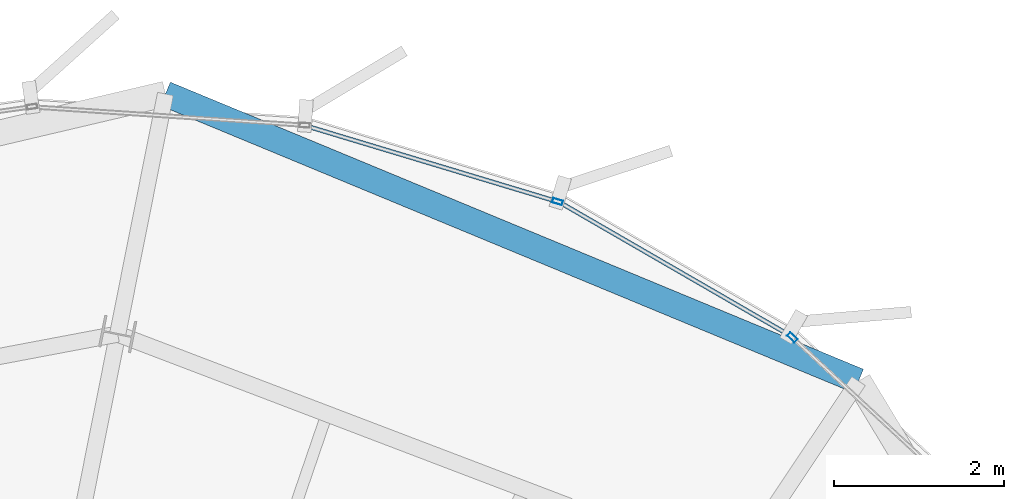
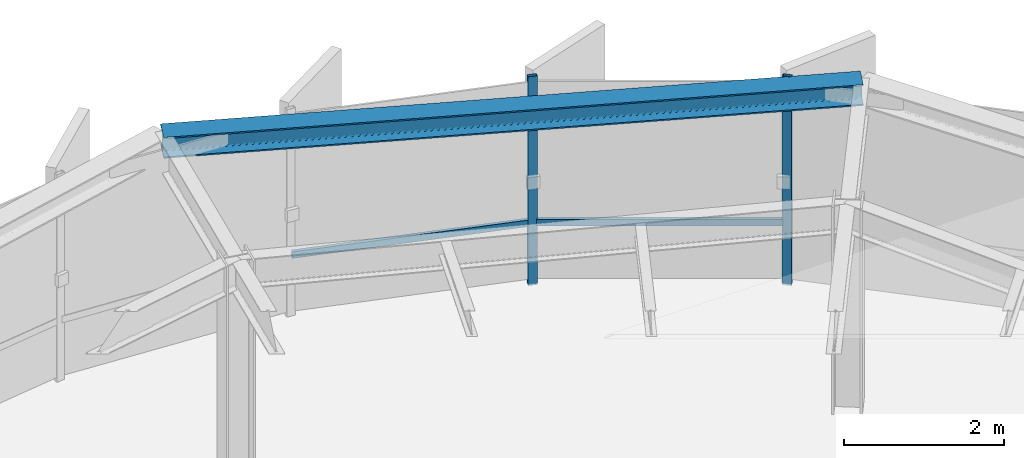
# One storey, part 22 of 31: 4 members, 1 beam, 3 elements without a shape of their own.
"""IFC4 building model written with IfcOpenShell, lengths in metres."""

from ifc_helpers import new_model, si_unit, direction, frame, origin, origin_2d, place, context, subcontext, project, spatial, hollow_rectangle, i_section, extrude, source, transform, mapped, material, layer, layer_set, material_profile, profile_set, type_object, element, aggregate, save


model = new_model("IFC4")

# Units and contexts
model_context = context("Model", 3, precision=1e-05, world=origin(), true_north=direction((0.0, 1.0)))
body_context = subcontext(model_context, "Body", "Model", "MODEL_VIEW")
ifc_project = project(units=[si_unit("LENGTHUNIT", "METRE"), si_unit("AREAUNIT", "SQUARE_METRE"), si_unit("VOLUMEUNIT", "CUBIC_METRE"), si_unit("PLANEANGLEUNIT", "RADIAN"), si_unit("MASSUNIT", "GRAM", prefix="KILO"), si_unit("THERMODYNAMICTEMPERATUREUNIT", "KELVIN")], contexts=[model_context])

# Site, building, storey
site_placement = place(None, origin())
site = spatial("IfcSite", under=ifc_project, at=site_placement, CompositionType="ELEMENT")
building_placement = place(site_placement, origin())
building = spatial("IfcBuilding", under=site, at=building_placement, Name="Kethvar Cultural Tower", CompositionType="ELEMENT")
storey_placement = place(building_placement, frame((0.0, 0.0, 300.85009765625)))
storey = spatial("IfcBuildingStorey", under=building, at=storey_placement, Name="L80", CompositionType="ELEMENT", Elevation=300.85009765625)

# Beam
ifc_material_1 = material(Name="Steel S355J2", Category="steel")
ifc_material_profile_1 = material_profile(ifc_material_1, i_section(OverallWidth=0.300048828125, OverallDepth=0.320068359375, WebThickness=0.011474609375, FlangeThickness=0.0205078125, FilletRadius=0.027099609375, at=origin_2d()), Name="Steel S355J2 — HEB320")
ifc_profile_set_1 = profile_set([ifc_material_profile_1], Name="Steel S355J2 — HEB320")
beam_type = type_object("IfcBeamType", Name="BM-SP320", PredefinedType="SPANDREL", material=ifc_profile_set_1)
shared_shape_1 = source(origin(), body_context, "Body", "SweptSolid", [
    extrude(i_section(OverallWidth=0.300048828125, OverallDepth=0.320068359375, WebThickness=0.011474609375, FlangeThickness=0.0205078125, FilletRadius=0.027099609375, at=origin_2d()), origin(), (0.0, 0.0, 1.0), 8.81298828125),
])
beam_placement = place(storey_placement, frame((59.3486328125, 46.580322265625, 3.02294921875), z_axis=(-0.923879750975, 0.382682904947, 0.0), x_axis=(-0.382682904947, -0.923879750975, 0.0)))
element("IfcBeam", 1, at=beam_placement, inside=storey, type_object=beam_type, Name="L80 Perimeter Spandrel Beam SP-03", PredefinedType="SPANDREL", context=body_context, shape_type="MappedRepresentation", body=[
    mapped(shared_shape_1, transform((0.0, 0.0, 0.0), scale=1.0)),
])

# Curtain wall, member
ifc_material_2 = material(Name="Aluminium 6063-T6", Category="aluminium")
ifc_layer = layer(ifc_material_2, 0.179931640625, Name="Aluminium 6063-T6", Category="aluminium")
ifc_layer_set = layer_set([ifc_layer], Name="Aluminium 6063-T6 (180 mm)")
curtain_wall_type = type_object("IfcCurtainWallType", Name="CW-SYS-05-Z56", PredefinedType="NOTDEFINED", material=ifc_layer_set)
curtain_wall_1_placement = place(storey_placement, origin())
curtain_wall_1 = element("IfcCurtainWall", 2, at=curtain_wall_1_placement, inside=storey, type_object=curtain_wall_type, Name="L80 Curtain Wall Run 01", PredefinedType="NOTDEFINED")
ifc_material_profile_2 = material_profile(ifc_material_2, hollow_rectangle(XDim=0.054931640625, YDim=0.1201171875, WallThickness=0.00390625, at=origin_2d()), Name="Aluminium 6063-T6 — RHS120x55x4")
ifc_profile_set_2 = profile_set([ifc_material_profile_2], Name="Aluminium 6063-T6 — RHS120x55x4")
member_type_1 = type_object("IfcMemberType", Name="CW-SYS-05-Z56-MUL", PredefinedType="MULLION", material=ifc_profile_set_2)
shared_shape_2 = source(origin(), body_context, "Body", "SweptSolid", [
    extrude(hollow_rectangle(XDim=0.054931640625, YDim=0.1201171875, WallThickness=0.00390625, at=origin_2d()), origin(), (0.0, 0.0, 1.0), 3.184814453125),
])
member_1_placement = place(storey_placement, frame((55.812744140625, 48.6875, 0.0), z_axis=(0.0, 0.0, 1.0), x_axis=(-0.288480372586, -0.957485809102, 0.0)))
member_1 = element("IfcMember", 3, at=member_1_placement, type_object=member_type_1, Name="CW-L80-R01 Mullion 1", PredefinedType="MULLION", context=body_context, shape_type="MappedRepresentation", body=[
    mapped(shared_shape_2, transform((0.0, 0.0, 0.0), scale=1.0)),
])

curtain_wall_2_placement = place(storey_placement, origin())
curtain_wall_2 = element("IfcCurtainWall", 4, at=curtain_wall_2_placement, inside=storey, type_object=curtain_wall_type, Name="L80 Curtain Wall Run 06", PredefinedType="NOTDEFINED")
member_2_placement = place(storey_placement, frame((58.56982421875, 47.093505859375, 0.0), z_axis=(0.0, 0.0, 1.0), x_axis=(-0.681181004838, -0.732115044681, 0.0)))
member_2 = element("IfcMember", 5, at=member_2_placement, type_object=member_type_1, Name="CW-L80-R06 Mullion 7", PredefinedType="MULLION", context=body_context, shape_type="MappedRepresentation", body=[
    mapped(shared_shape_2, transform((0.0, 0.0, 0.0), scale=1.0)),
])
aggregate(curtain_wall_2, [member_2])

# Member
ifc_material_profile_3 = material_profile(ifc_material_2, hollow_rectangle(XDim=0.050048828125, YDim=0.10009765625, WallThickness=0.00390625, at=origin_2d()), Name="Aluminium 6063-T6 — RHS100x50x4")
ifc_profile_set_3 = profile_set([ifc_material_profile_3], Name="Aluminium 6063-T6 — RHS100x50x4")
member_type_2 = type_object("IfcMemberType", Name="CW-SYS-05-Z56-TRN", PredefinedType="USERDEFINED", material=ifc_profile_set_3)
shared_shape_3 = source(origin(), body_context, "Body", "SweptSolid", [
    extrude(hollow_rectangle(XDim=0.050048828125, YDim=0.10009765625, WallThickness=0.00390625, at=origin_2d()), origin(), (0.0, 0.0, 1.0), 3.0810546875),
])
member_3_placement = place(storey_placement, frame((55.80908203125, 48.688720703125, 0.949951171875), z_axis=(-0.957502916403, 0.288423586205, 0.0), x_axis=(-0.288423586205, -0.957502916403, 0.0)))
member_3 = element("IfcMember", 6, at=member_3_placement, type_object=member_type_2, Name="CW-L80-R01 Transom 1", ObjectType="TRANSOM", PredefinedType="USERDEFINED", context=body_context, shape_type="MappedRepresentation", body=[
    mapped(shared_shape_3, transform((0.0, 0.0, 0.0), scale=1.0)),
])

aggregate(curtain_wall_1, [member_1, member_3])

# Curtain wall, member
curtain_wall_3_placement = place(storey_placement, origin())
curtain_wall_3 = element("IfcCurtainWall", 7, at=curtain_wall_3_placement, inside=storey, type_object=curtain_wall_type, Name="L80 Curtain Wall Run 07", PredefinedType="NOTDEFINED")
shared_shape_4 = source(origin(), body_context, "Body", "SweptSolid", [
    extrude(hollow_rectangle(XDim=0.050048828125, YDim=0.10009765625, WallThickness=0.00390625, at=origin_2d()), origin(), (0.0, 0.0, 1.0), 3.081298828125),
])
member_4_placement = place(storey_placement, frame((58.527587890625, 47.124267578125, 0.949951171875), z_axis=(-0.86572088311, 0.50052707474, 0.0), x_axis=(-0.50052707474, -0.86572088311, 0.0)))
member_4 = element("IfcMember", 8, at=member_4_placement, type_object=member_type_2, Name="CW-L80-R07 Transom 1", ObjectType="TRANSOM", PredefinedType="USERDEFINED", context=body_context, shape_type="MappedRepresentation", body=[
    mapped(shared_shape_4, transform((0.0, 0.0, 0.0), scale=1.0)),
])
aggregate(curtain_wall_3, [member_4])

save(model, "model.ifc")
